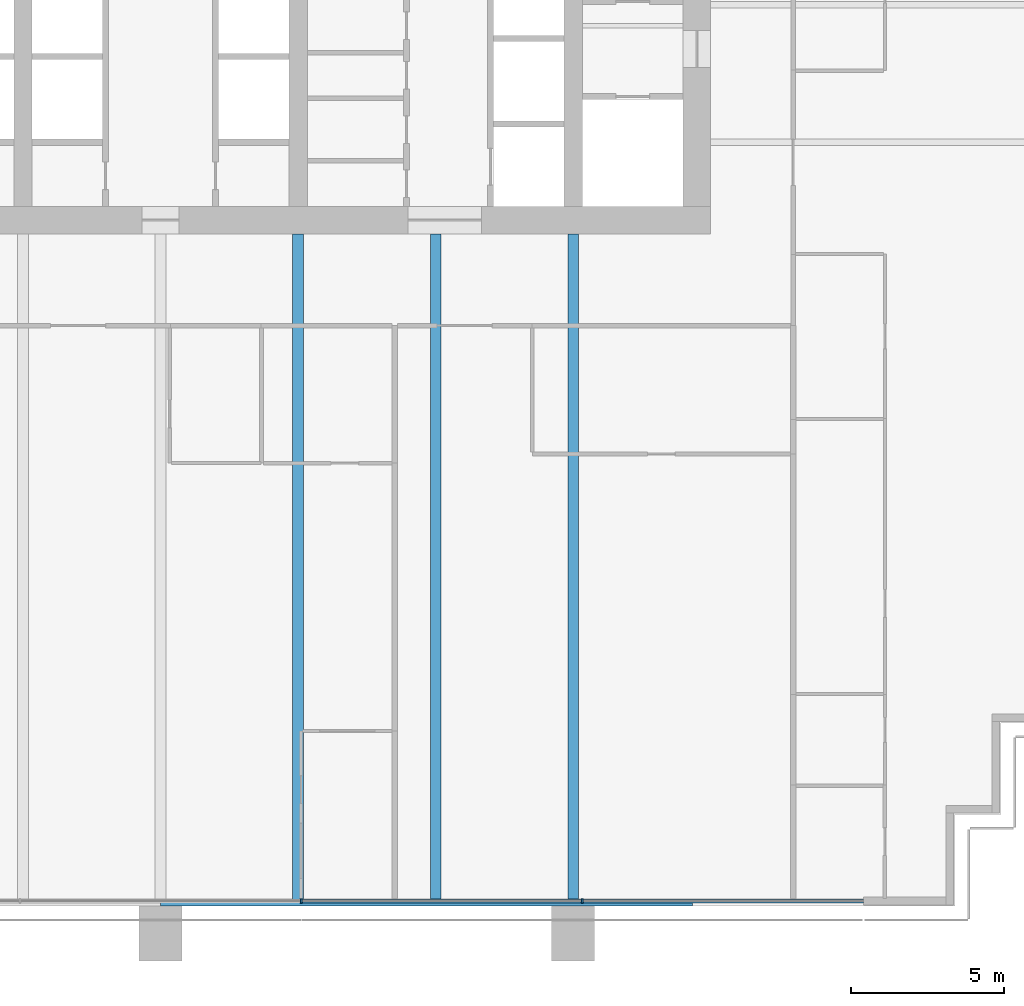
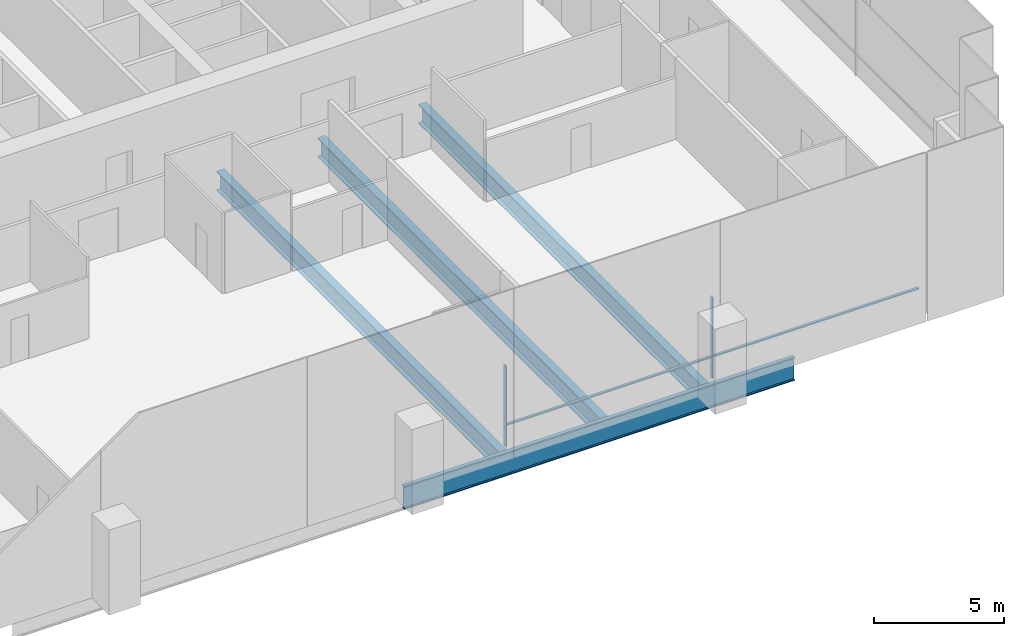
# One storey, part 5 of 17: 4 beams, 4 members, 1 element without a shape of its own.
"""IFC4 building model written with IfcOpenShell, lengths in metres."""

from ifc_helpers import new_model, si_unit, direction, frame, origin, origin_2d, place, context, subcontext, project, spatial, rectangle, i_section, extrude, material, material_profile, profile_set, type_object, element, aggregate, save


model = new_model("IFC4")

# Units and contexts
model_context = context("Model", 3, precision=1e-05, world=origin(), true_north=direction((0.0, 1.0)))
body_context = subcontext(model_context, "Body", "Model", "MODEL_VIEW")
ifc_project = project(units=[si_unit("LENGTHUNIT", "METRE"), si_unit("AREAUNIT", "SQUARE_METRE"), si_unit("VOLUMEUNIT", "CUBIC_METRE"), si_unit("PLANEANGLEUNIT", "RADIAN"), si_unit("MASSUNIT", "GRAM", prefix="KILO")], contexts=[model_context])

# Site, building, storey
site_placement = place(None, origin())
site = spatial("IfcSite", under=ifc_project, at=site_placement, CompositionType="ELEMENT")
building_placement = place(site_placement, origin())
building = spatial("IfcBuilding", under=site, at=building_placement, Name="Rattan Terrace Tower", CompositionType="ELEMENT")
storey_placement = place(building_placement, frame((0.0, 0.0, 126.10009765625)))
storey = spatial("IfcBuildingStorey", under=building, at=storey_placement, Name="L28", CompositionType="ELEMENT", Elevation=126.10009765625)

# Curtain wall, members
ifc_material_1 = material(Name="Aluminium and glass", Category="aluminium")
curtain_wall_type = type_object("IfcCurtainWallType", Name="Facade Unitised Curtain Wall", PredefinedType="NOTDEFINED", material=ifc_material_1)
curtain_wall_placement = place(storey_placement, origin())
curtain_wall = element("IfcCurtainWall", 1, at=curtain_wall_placement, inside=storey, type_object=curtain_wall_type, Name="Curtain wall L28-4", PredefinedType="NOTDEFINED")
ifc_material_2 = material(Name="Aluminium", Category="aluminium")
ifc_material_profile_1 = material_profile(ifc_material_2, rectangle(XDim=0.06005859375, YDim=0.159912109375, at=origin_2d()), Name="Aluminium 60x160")
ifc_profile_set_1 = profile_set([ifc_material_profile_1], Name="Aluminium")
member_type_1 = type_object("IfcMemberType", Name="Facade CW Mullion 60x160", PredefinedType="MULLION", material=ifc_profile_set_1)
member_1_placement = place(storey_placement, frame((4.60302734375, -29.330078125, 0.0), z_axis=(0.0, 0.0, 1.0), x_axis=(1.0, 0.0, 0.0)))
member_1 = element("IfcMember", 2, at=member_1_placement, type_object=member_type_1, Name="Mullion cwl-L28-004.4", PredefinedType="MULLION", context=body_context, shape_type="SweptSolid", body=[
    extrude(rectangle(XDim=0.06005859375, YDim=0.159912109375, at=origin_2d()), origin(), (0.0, 0.0, 1.0), 3.7998046875),
])
member_2_placement = place(storey_placement, frame((13.803955078125, -29.330078125, 0.0), z_axis=(0.0, 0.0, 1.0), x_axis=(1.0, 0.0, 0.0)))
member_2 = element("IfcMember", 3, at=member_2_placement, type_object=member_type_1, Name="Mullion cwl-L28-004.5", PredefinedType="MULLION", context=body_context, shape_type="SweptSolid", body=[
    extrude(rectangle(XDim=0.06005859375, YDim=0.159912109375, at=origin_2d()), origin(), (0.0, 0.0, 1.0), 3.7998046875),
])
ifc_material_3 = material(Name="Aluminium", Category="aluminium")
ifc_material_profile_2 = material_profile(ifc_material_3, rectangle(XDim=0.1201171875, YDim=0.06005859375, at=origin_2d()), Name="Aluminium 120x60")
ifc_profile_set_2 = profile_set([ifc_material_profile_2], Name="Aluminium")
member_type_2 = type_object("IfcMemberType", Name="Facade CW Transom 120x60", PredefinedType="USERDEFINED", material=ifc_profile_set_2)
member_3_placement = place(storey_placement, frame((4.633056640625, -29.330078125, 1.0), z_axis=(1.0, 0.0, 0.0), x_axis=(0.0, 1.0, 0.0)))
member_3 = element("IfcMember", 4, at=member_3_placement, type_object=member_type_2, Name="Transom cwl-L28-004.4", ObjectType="TRANSOM", PredefinedType="USERDEFINED", context=body_context, shape_type="SweptSolid", body=[
    extrude(rectangle(XDim=0.1201171875, YDim=0.06005859375, at=origin_2d()), origin(), (0.0, 0.0, 1.0), 9.140869140625),
])
member_4_placement = place(storey_placement, frame((13.833984375, -29.330078125, 1.0), z_axis=(1.0, 0.0, 0.0), x_axis=(0.0, 1.0, 0.0)))
member_4 = element("IfcMember", 5, at=member_4_placement, type_object=member_type_2, Name="Transom cwl-L28-004.5", ObjectType="TRANSOM", PredefinedType="USERDEFINED", context=body_context, shape_type="SweptSolid", body=[
    extrude(rectangle(XDim=0.1201171875, YDim=0.06005859375, at=origin_2d()), origin(), (0.0, 0.0, 1.0), 9.166015625),
])
aggregate(curtain_wall, [member_1, member_2, member_3, member_4])

# Beams
ifc_material_4 = material(Name="Steel S460", Category="steel")
ifc_material_profile_3 = material_profile(ifc_material_4, i_section(OverallWidth=0.179931640625, OverallDepth=1.10009765625, WebThickness=0.01611328125, FlangeThickness=0.050048828125, at=origin_2d()), Name="PG 1100x180-16-50")
ifc_profile_set_3 = profile_set([ifc_material_profile_3], Name="Steel S460")
beam_type_1 = type_object("IfcBeamType", Name="Frame edge girder PG 1100x180-16-50", PredefinedType="SPANDREL", material=ifc_profile_set_3)
beam_placement = place(storey_placement, frame((17.39990234375, -29.409912109375, -0.75), z_axis=(-1.0, 0.0, 0.0), x_axis=(0.0, -1.0, 0.0)))
element("IfcBeam", 6, at=beam_placement, inside=storey, type_object=beam_type_1, Name="gdr-L28-002", PredefinedType="SPANDREL", context=body_context, shape_type="SweptSolid", body=[
    extrude(i_section(OverallWidth=0.179931640625, OverallDepth=1.10009765625, WebThickness=0.01611328125, FlangeThickness=0.050048828125, at=origin_2d()), origin(), (0.0, 0.0, 1.0), 17.39990234375),
])
ifc_material_5 = material(Name="Steel S460", Category="steel")
ifc_material_profile_4 = material_profile(ifc_material_5, i_section(OverallWidth=0.35009765625, OverallDepth=0.89990234375, WebThickness=0.013916015625, FlangeThickness=0.0400390625, at=origin_2d()), Name="PG 900x350-14-40")
ifc_profile_set_4 = profile_set([ifc_material_profile_4], Name="Steel S460")
beam_type_2 = type_object("IfcBeamType", Name="Frame floor beam PG 900x350-14-40", PredefinedType="JOIST", material=ifc_profile_set_4)
for number, where, z_axis, x_axis, name in (
    (7, (4.5, -29.320068359375, -0.650146484375), (0.0, 1.0, 0.0), (-1.0, 0.0, 0.0), "bm-L28-007"),
    (8, (9.0, -29.320068359375, -0.650146484375), (0.0, 1.0, 0.0), (-1.0, 0.0, 0.0), "bm-L28-008"),
    (9, (13.5, -29.320068359375, -0.650146484375), (0.0, 1.0, 0.0), (-1.0, 0.0, 0.0), "bm-L28-009"),
):
    element("IfcBeam", number, at=place(storey_placement, frame(where, z_axis=z_axis, x_axis=x_axis)), inside=storey, type_object=beam_type_2, Name=name, PredefinedType="JOIST", context=body_context, shape_type="SweptSolid", body=[
        extrude(i_section(OverallWidth=0.35009765625, OverallDepth=0.89990234375, WebThickness=0.013916015625, FlangeThickness=0.0400390625, at=origin_2d()), origin(), (0.0, 0.0, 1.0), 21.820068359375),
    ])

save(model, "model.ifc")
